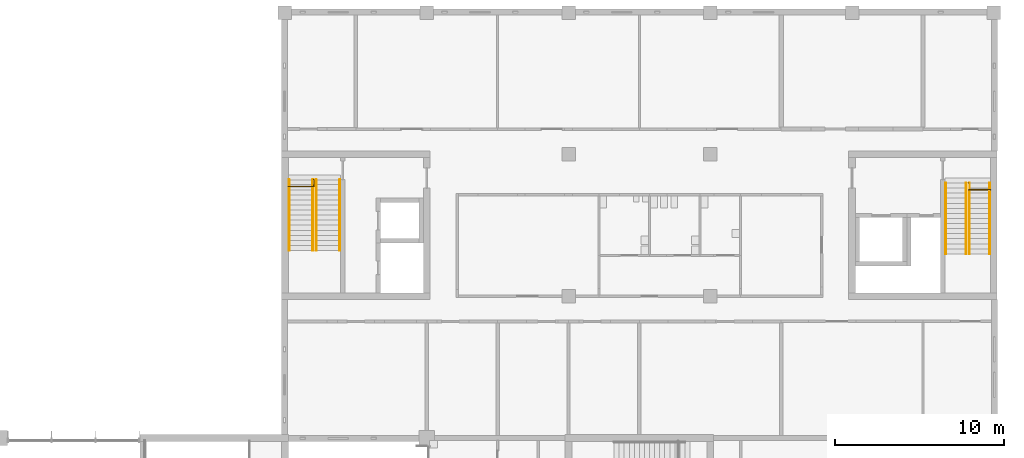
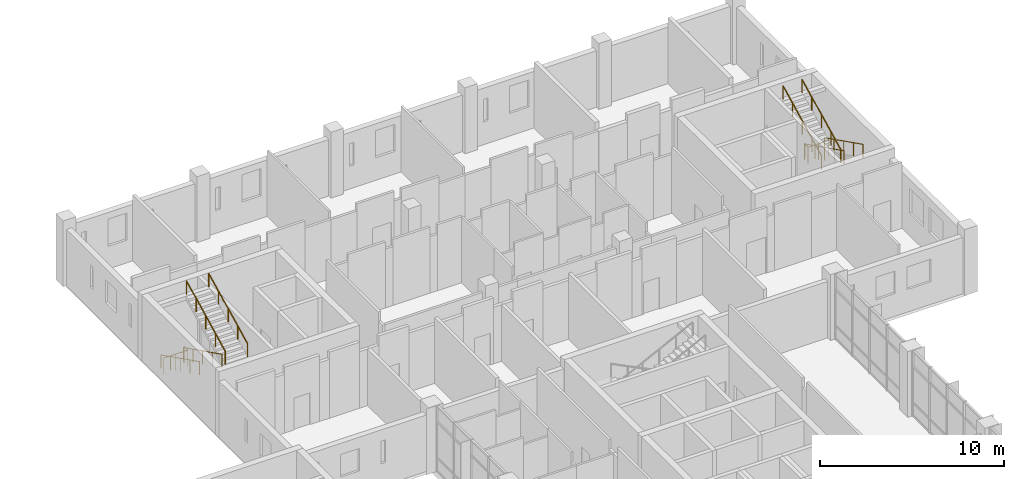
# One storey, part 68 of 70: 10 railings.
"""IFC4 building model written with IfcOpenShell, lengths in metres."""

from ifc_helpers import new_model, si_unit, direction, frame, origin, origin_2d, place, context, subcontext, project, spatial, circle, extrude, material, type_object, element, save


model = new_model("IFC4")

# Units and contexts
model_context = context("Model", 3, precision=1e-05, world=origin(), true_north=direction((0.0, 1.0)))
body_context = subcontext(model_context, "Body", "Model", "MODEL_VIEW")
ifc_project = project(units=[si_unit("LENGTHUNIT", "METRE"), si_unit("AREAUNIT", "SQUARE_METRE"), si_unit("VOLUMEUNIT", "CUBIC_METRE"), si_unit("PLANEANGLEUNIT", "RADIAN"), si_unit("MASSUNIT", "GRAM", prefix="KILO")], contexts=[model_context])

# Site, building, storey
site_placement = place(None, origin())
site = spatial("IfcSite", under=ifc_project, at=site_placement, CompositionType="ELEMENT")
building_placement = place(site_placement, origin())
building = spatial("IfcBuilding", under=site, at=building_placement, Name="Hlaing Beacon Police Headquarters", CompositionType="ELEMENT")
storey_placement = place(building_placement, frame((0.0, 0.0, 5.39990234375)))
storey = spatial("IfcBuildingStorey", under=building, at=storey_placement, Name="L01", CompositionType="ELEMENT", Elevation=5.39990234375)

# Railings
ifc_material_1 = material(Name="Stainless steel", Category="steel")
railing_type_1 = type_object("IfcRailingType", Name="Stair guard 1100", PredefinedType="GUARDRAIL", material=ifc_material_1)
railing_1_placement = place(storey_placement, frame((92.60009765625, 82.10009765625, 0.0)))
element("IfcRailing", 1, at=railing_1_placement, inside=storey, type_object=railing_type_1, Name="Guard ST-Q", PredefinedType="GUARDRAIL", context=body_context, shape_type="SweptSolid", body=[
    extrude(circle(Radius=0.02392578125, at=origin_2d()), frame((0.0, 0.0, 1.076171875), z_axis=(1.0, 0.0, 0.0), x_axis=(0.0, 1.0, 0.0)), (0.0, 0.0, 1.0), 1.5),
    extrude(circle(Radius=0.02392578125, at=origin_2d()), frame((1.5, 0.0, 1.076171875), z_axis=(0.0, 1.0, 0.0), x_axis=(-1.0, 0.0, 0.0)), (0.0, 0.0, 1.0), 0.39990234375),
    extrude(circle(Radius=0.02099609375, at=origin_2d()), origin(), (0.0, 0.0, 1.0), 1.052001953125),
    extrude(circle(Radius=0.02099609375, at=origin_2d()), frame((0.75, 0.0, 0.0)), (0.0, 0.0, 1.0), 1.052001953125),
    extrude(circle(Radius=0.02099609375, at=origin_2d()), frame((1.5, 0.0, 0.0)), (0.0, 0.0, 1.0), 1.052001953125),
    extrude(circle(Radius=0.02099609375, at=origin_2d()), frame((1.5, 0.39990234375, 0.0)), (0.0, 0.0, 1.0), 1.052001953125),
])
railing_2_placement = place(storey_placement, frame((134.199951171875, 81.89990234375, 0.0)))
element("IfcRailing", 2, at=railing_2_placement, inside=storey, type_object=railing_type_1, Name="Guard ST-R", PredefinedType="GUARDRAIL", context=body_context, shape_type="SweptSolid", body=[
    extrude(circle(Radius=0.02392578125, at=origin_2d()), frame((0.0, 0.0, 1.076171875), z_axis=(-1.0, 0.0, 0.0), x_axis=(0.0, -1.0, 0.0)), (0.0, 0.0, 1.0), 1.300048828125),
    extrude(circle(Radius=0.02392578125, at=origin_2d()), frame((-1.300048828125, 0.0, 1.076171875), z_axis=(0.0, 1.0, 0.0), x_axis=(-1.0, 0.0, 0.0)), (0.0, 0.0, 1.0), 0.400146484375),
    extrude(circle(Radius=0.02099609375, at=origin_2d()), origin(), (0.0, 0.0, 1.0), 1.052001953125),
    extrude(circle(Radius=0.02099609375, at=origin_2d()), frame((-0.64990234375, 0.0, 0.0)), (0.0, 0.0, 1.0), 1.052001953125),
    extrude(circle(Radius=0.02099609375, at=origin_2d()), frame((-1.300048828125, 0.0, 0.0)), (0.0, 0.0, 1.0), 1.052001953125),
    extrude(circle(Radius=0.02099609375, at=origin_2d()), frame((-1.300048828125, 0.400146484375, 0.0)), (0.0, 0.0, 1.0), 1.052001953125),
])
ifc_material_2 = material(Name="Stainless steel", Category="steel")
railing_type_2 = type_object("IfcRailingType", Name="Stair handrail 900", PredefinedType="HANDRAIL", material=ifc_material_2)
for number, where, name in (
    (3, (92.64990234375, 82.5, 0.150146484375), "Handrail ST-Q"),
    (4, (94.050048828125, 82.5, 0.150146484375), "Handrail ST-Q"),
):
    element("IfcRailing", number, at=place(storey_placement, frame(where)), inside=storey, type_object=railing_type_2, Name=name, PredefinedType="HANDRAIL", context=body_context, shape_type="SweptSolid", body=[
        extrude(circle(Radius=0.02392578125, at=origin_2d()), frame((0.0, 0.0, 0.8759765625), z_axis=(0.0, -0.894437589381, 0.447192798132), x_axis=(1.0, 0.0, 0.0)), (0.0, 0.0, 1.0), 4.695556640625),
        extrude(circle(Radius=0.02099609375, at=origin_2d()), origin(), (0.0, 0.0, 1.0), 0.851806640625),
        extrude(circle(Radius=0.02099609375, at=origin_2d()), frame((0.0, -1.050048828125, 0.52490234375)), (0.0, 0.0, 1.0), 0.851806640625),
        extrude(circle(Radius=0.02099609375, at=origin_2d()), frame((0.0, -2.10009765625, 1.0498046875)), (0.0, 0.0, 1.0), 0.851806640625),
        extrude(circle(Radius=0.02099609375, at=origin_2d()), frame((0.0, -3.14990234375, 1.574951171875)), (0.0, 0.0, 1.0), 0.851806640625),
        extrude(circle(Radius=0.02099609375, at=origin_2d()), frame((0.0, -4.199951171875, 2.099853515625)), (0.0, 0.0, 1.0), 0.851806640625),
    ])
for number, where, name in (
    (5, (94.25, 78.300048828125, 2.400146484375), "Handrail ST-Q"),
    (6, (95.64990234375, 78.300048828125, 2.400146484375), "Handrail ST-Q"),
):
    element("IfcRailing", number, at=place(storey_placement, frame(where)), inside=storey, type_object=railing_type_2, Name=name, PredefinedType="HANDRAIL", context=body_context, shape_type="SweptSolid", body=[
        extrude(circle(Radius=0.02392578125, at=origin_2d()), frame((0.0, 0.0, 0.8759765625), z_axis=(0.0, 0.894437589381, 0.447192798132), x_axis=(-1.0, 0.0, 0.0)), (0.0, 0.0, 1.0), 4.695556640625),
        extrude(circle(Radius=0.02099609375, at=origin_2d()), origin(), (0.0, 0.0, 1.0), 0.851806640625),
        extrude(circle(Radius=0.02099609375, at=origin_2d()), frame((0.0, 1.050048828125, 0.52490234375)), (0.0, 0.0, 1.0), 0.851806640625),
        extrude(circle(Radius=0.02099609375, at=origin_2d()), frame((0.0, 2.10009765625, 1.0498046875)), (0.0, 0.0, 1.0), 0.851806640625),
        extrude(circle(Radius=0.02099609375, at=origin_2d()), frame((0.0, 3.14990234375, 1.574951171875)), (0.0, 0.0, 1.0), 0.851806640625),
        extrude(circle(Radius=0.02099609375, at=origin_2d()), frame((0.0, 4.199951171875, 2.099853515625)), (0.0, 0.0, 1.0), 0.851806640625),
    ])
for number, where, name in (
    (7, (134.14990234375, 82.300048828125, 0.150146484375), "Handrail ST-R"),
    (8, (132.949951171875, 82.300048828125, 0.150146484375), "Handrail ST-R"),
):
    element("IfcRailing", number, at=place(storey_placement, frame(where)), inside=storey, type_object=railing_type_2, Name=name, PredefinedType="HANDRAIL", context=body_context, shape_type="SweptSolid", body=[
        extrude(circle(Radius=0.02392578125, at=origin_2d()), frame((0.0, 0.0, 0.8759765625), z_axis=(0.0, -0.894437589381, 0.447192798132), x_axis=(1.0, 0.0, 0.0)), (0.0, 0.0, 1.0), 4.695556640625),
        extrude(circle(Radius=0.02099609375, at=origin_2d()), origin(), (0.0, 0.0, 1.0), 0.851806640625),
        extrude(circle(Radius=0.02099609375, at=origin_2d()), frame((0.0, -1.050048828125, 0.52490234375)), (0.0, 0.0, 1.0), 0.851806640625),
        extrude(circle(Radius=0.02099609375, at=origin_2d()), frame((0.0, -2.10009765625, 1.0498046875)), (0.0, 0.0, 1.0), 0.851806640625),
        extrude(circle(Radius=0.02099609375, at=origin_2d()), frame((0.0, -3.14990234375, 1.574951171875)), (0.0, 0.0, 1.0), 0.851806640625),
        extrude(circle(Radius=0.02099609375, at=origin_2d()), frame((0.0, -4.199951171875, 2.099853515625)), (0.0, 0.0, 1.0), 0.851806640625),
    ])
for number, where, name in (
    (9, (132.75, 78.10009765625, 2.400146484375), "Handrail ST-R"),
    (10, (131.550048828125, 78.10009765625, 2.400146484375), "Handrail ST-R"),
):
    element("IfcRailing", number, at=place(storey_placement, frame(where)), inside=storey, type_object=railing_type_2, Name=name, PredefinedType="HANDRAIL", context=body_context, shape_type="SweptSolid", body=[
        extrude(circle(Radius=0.02392578125, at=origin_2d()), frame((0.0, 0.0, 0.8759765625), z_axis=(0.0, 0.894437589381, 0.447192798132), x_axis=(-1.0, 0.0, 0.0)), (0.0, 0.0, 1.0), 4.695556640625),
        extrude(circle(Radius=0.02099609375, at=origin_2d()), origin(), (0.0, 0.0, 1.0), 0.851806640625),
        extrude(circle(Radius=0.02099609375, at=origin_2d()), frame((0.0, 1.050048828125, 0.52490234375)), (0.0, 0.0, 1.0), 0.851806640625),
        extrude(circle(Radius=0.02099609375, at=origin_2d()), frame((0.0, 2.10009765625, 1.0498046875)), (0.0, 0.0, 1.0), 0.851806640625),
        extrude(circle(Radius=0.02099609375, at=origin_2d()), frame((0.0, 3.14990234375, 1.574951171875)), (0.0, 0.0, 1.0), 0.851806640625),
        extrude(circle(Radius=0.02099609375, at=origin_2d()), frame((0.0, 4.199951171875, 2.099853515625)), (0.0, 0.0, 1.0), 0.851806640625),
    ])

save(model, "model.ifc")
